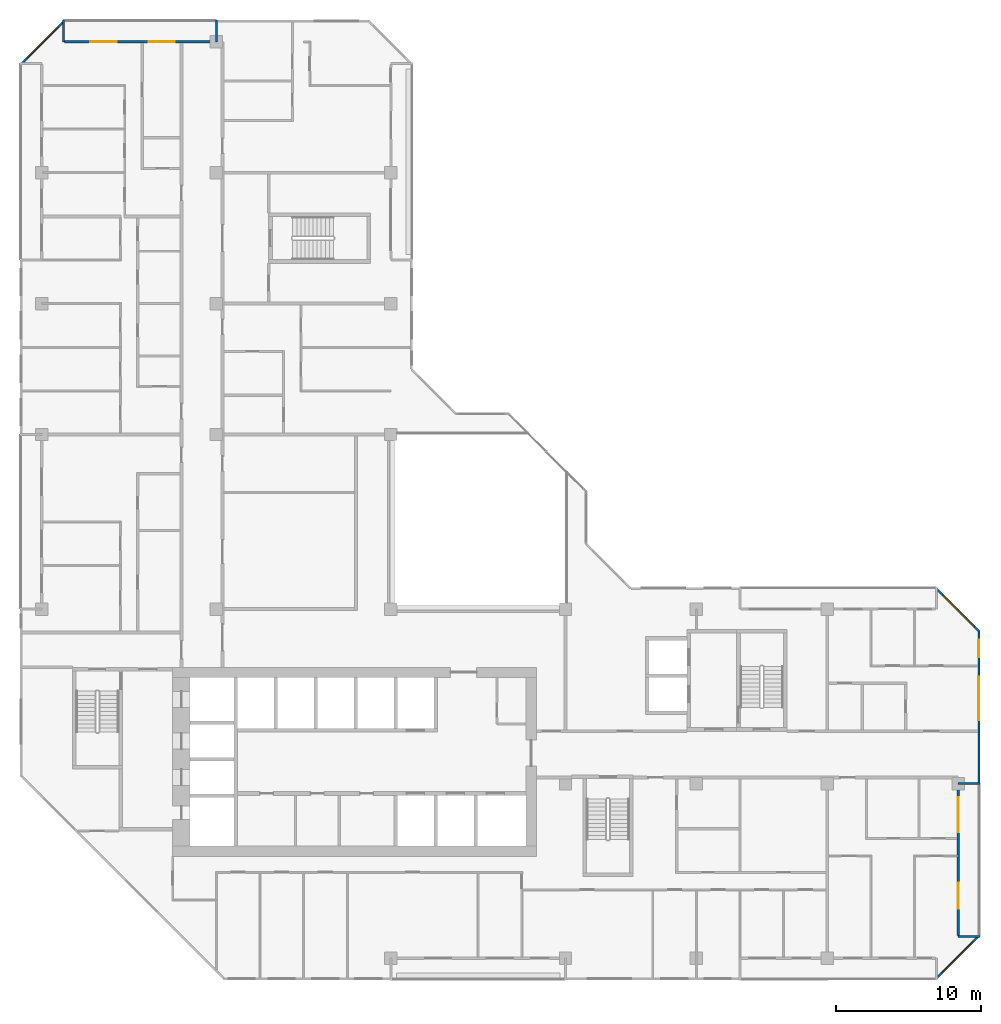
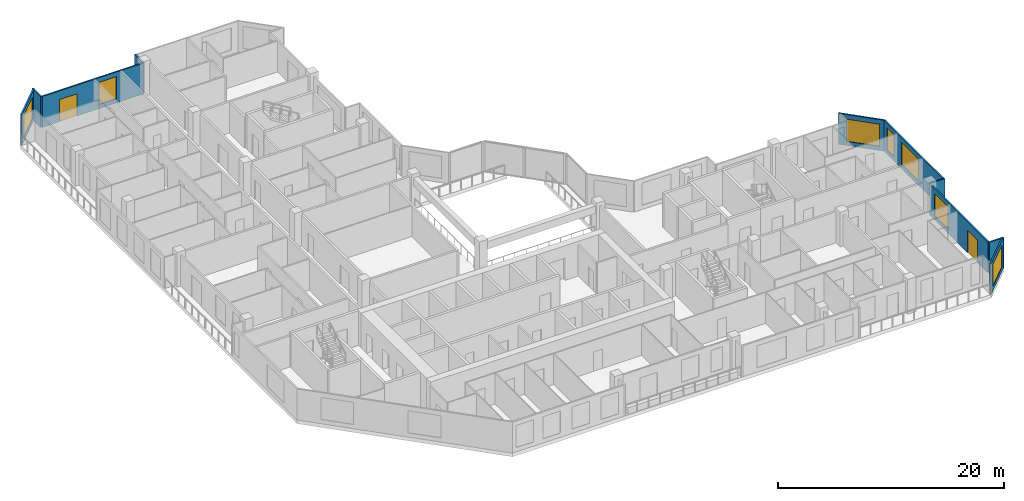
# One storey, part 12 of 16: 10 walls, 7 windows, 2 doors, 9 openings.
"""IFC4 building model written with IfcOpenShell, lengths in metres."""

from ifc_helpers import new_model, si_unit, direction, frame, frame_2d, origin, place, context, subcontext, project, spatial, rectangle, extrude, material, layer, layer_set, type_object, element, fill, save


model = new_model("IFC4")

# Units and contexts
model_context = context("Model", 3, precision=1e-05, world=origin(), true_north=direction((0.0, 1.0)))
body_context = subcontext(model_context, "Body", "Model", "MODEL_VIEW")
ifc_project = project(units=[si_unit("LENGTHUNIT", "METRE"), si_unit("AREAUNIT", "SQUARE_METRE"), si_unit("VOLUMEUNIT", "CUBIC_METRE"), si_unit("PLANEANGLEUNIT", "RADIAN"), si_unit("MASSUNIT", "GRAM", prefix="KILO")], contexts=[model_context])

# Site, building, storey
site_placement = place(None, origin())
site = spatial("IfcSite", under=ifc_project, at=site_placement, CompositionType="ELEMENT")
building_placement = place(site_placement, origin())
building = spatial("IfcBuilding", under=site, at=building_placement, Name="Chenar Terraces", CompositionType="ELEMENT")
storey_placement = place(building_placement, frame((0.0, 0.0, 222.89990234375)))
storey = spatial("IfcBuildingStorey", under=building, at=storey_placement, Name="L52", CompositionType="ELEMENT", Elevation=222.89990234375)

# Wall, openings, windows
ifc_material_1 = material(Name="Aluminium framed glazing", Category="aluminium")
ifc_layer_1 = layer(ifc_material_1, 0.14990234375)
ifc_layer_set_1 = layer_set([ifc_layer_1], Name="Aluminium framed glazing")
wall_type_1 = type_object("IfcWallType", Name="Glazed flush facade wall 150", PredefinedType="SOLIDWALL", material=ifc_layer_set_1)
wall_1_placement = place(storey_placement, frame((64.425048828125, 12.074951171875, 0.0), z_axis=(0.0, 0.0, 1.0), x_axis=(0.0, 1.0, 0.0)))
wall_1 = element("IfcWall", 1, at=wall_1_placement, inside=storey, type_object=wall_type_1, Name="Glazed flush facade wall", PredefinedType="SOLIDWALL", context=body_context, shape_type="SweptSolid", body=[
    extrude(rectangle(XDim=10.425048828125, YDim=0.14990234375, at=frame_2d((5.21240234375, 0.0))), origin(), (0.0, 0.0, 1.0), 3.35009765625),
])
opening_1_placement = place(wall_1_placement, frame((4.27490234375, 0.0, 0.449951171875)))
opening_1 = element("IfcOpeningElement", 2, at=opening_1_placement, cuts=wall_1, Name="Opening W300x240", PredefinedType="OPENING", context=body_context, shape_type="SweptSolid", body=[
    extrude(rectangle(XDim=3.0, YDim=2.39990234375, at=frame_2d((1.5, 1.199951171875))), frame((0.0, 0.0849609375, 0.0), z_axis=(0.0, -1.0, 0.0), x_axis=(1.0, 0.0, 0.0)), (0.0, 0.0, 1.0), 0.169921875),
])
opening_2_placement = place(wall_1_placement, frame((8.625, 0.0, 0.449951171875)))
opening_2 = element("IfcOpeningElement", 3, at=opening_2_placement, cuts=wall_1, Name="Opening W120x240", PredefinedType="OPENING", context=body_context, shape_type="SweptSolid", body=[
    extrude(rectangle(XDim=1.199951171875, YDim=2.39990234375, at=frame_2d((0.60009765625, 1.199951171875))), frame((0.0, 0.0849609375, 0.0), z_axis=(0.0, -1.0, 0.0), x_axis=(1.0, 0.0, 0.0)), (0.0, 0.0, 1.0), 0.169921875),
])
ifc_material_2 = material(Name="Low emissivity double glazing, aluminium frame", Category="aluminium")
window_type_1 = type_object("IfcWindowType", Name="Fixed light 1200 x 2400", PartitioningType="SINGLE_PANEL", PredefinedType="WINDOW", material=ifc_material_2)
window_1_placement = place(opening_2_placement, origin())
window_1 = element("IfcWindow", 4, at=window_1_placement, inside=storey, type_object=window_type_1, Name="Window", OverallHeight=2.39990234375, OverallWidth=1.199951171875, PartitioningType="SINGLE_PANEL", PredefinedType="WINDOW", context=body_context, shape_type="SweptSolid", body=[
    extrude(rectangle(XDim=1.199951171875, YDim=2.39990234375, at=frame_2d((0.60009765625, 1.199951171875))), frame((0.0, 0.030029296875, 0.0), z_axis=(0.0, -1.0, 0.0), x_axis=(1.0, 0.0, 0.0)), (0.0, 0.0, 1.0), 0.06005859375),
])
fill(opening_2, window_1)
ifc_material_3 = material(Name="Low emissivity double glazing, aluminium frame", Category="aluminium")
window_type_2 = type_object("IfcWindowType", Name="Fixed light 3000 x 2400", PartitioningType="SINGLE_PANEL", PredefinedType="WINDOW", material=ifc_material_3)
window_2_placement = place(opening_1_placement, origin())
window_2 = element("IfcWindow", 5, at=window_2_placement, inside=storey, type_object=window_type_2, Name="Window", OverallHeight=2.39990234375, OverallWidth=3.0, PartitioningType="SINGLE_PANEL", PredefinedType="WINDOW", context=body_context, shape_type="SweptSolid", body=[
    extrude(rectangle(XDim=3.0, YDim=2.39990234375, at=frame_2d((1.5, 1.199951171875))), frame((0.0, 0.030029296875, 0.0), z_axis=(0.0, -1.0, 0.0), x_axis=(1.0, 0.0, 0.0)), (0.0, 0.0, 1.0), 0.06005859375),
])
fill(opening_1, window_2)

# Wall, openings, window, door
ifc_material_4 = material(Name="Aluminium framed glazing", Category="aluminium")
ifc_layer_2 = layer(ifc_material_4, 0.14990234375)
ifc_layer_set_2 = layer_set([ifc_layer_2], Name="Aluminium framed glazing")
wall_type_2 = type_object("IfcWallType", Name="Glazed loggia back wall 150", PredefinedType="SOLIDWALL", material=ifc_layer_set_2)
wall_2_placement = place(storey_placement, frame((11.925048828125, 63.0, 0.0), z_axis=(0.0, 0.0, 1.0), x_axis=(-1.0, 0.0, 0.0)))
wall_2 = element("IfcWall", 6, at=wall_2_placement, inside=storey, type_object=wall_type_2, Name="Glazed loggia back wall", PredefinedType="SOLIDWALL", context=body_context, shape_type="SweptSolid", body=[
    extrude(rectangle(XDim=10.35009765625, YDim=0.14990234375, at=frame_2d((5.175048828125, 0.0))), origin(), (0.0, 0.0, 1.0), 3.35009765625),
])
opening_3_placement = place(wall_2_placement, frame((2.77490234375, 0.0, 0.449951171875)))
opening_3 = element("IfcOpeningElement", 7, at=opening_3_placement, cuts=wall_2, Name="Opening W180x240", PredefinedType="OPENING", context=body_context, shape_type="SweptSolid", body=[
    extrude(rectangle(XDim=1.800048828125, YDim=2.39990234375, at=frame_2d((0.89990234375, 1.199951171875))), frame((0.0, 0.0849609375, 0.0), z_axis=(0.0, -1.0, 0.0), x_axis=(1.0, 0.0, 0.0)), (0.0, 0.0, 1.0), 0.169921875),
])
opening_4_placement = place(wall_2_placement, frame((6.78759765625, 0.0, 0.0)))
opening_4 = element("IfcOpeningElement", 8, at=opening_4_placement, cuts=wall_2, Name="Opening DL52-G3", PredefinedType="OPENING", context=body_context, shape_type="SweptSolid", body=[
    extrude(rectangle(XDim=1.800048828125, YDim=2.39990234375, at=frame_2d((0.89990234375, 1.199951171875))), frame((0.0, 0.0849609375, 0.0), z_axis=(0.0, -1.0, 0.0), x_axis=(1.0, 0.0, 0.0)), (0.0, 0.0, 1.0), 0.169921875),
])
ifc_material_5 = material(Name="Low emissivity double glazing, aluminium frame", Category="aluminium")
window_type_3 = type_object("IfcWindowType", Name="Fixed light 1800 x 2400", PartitioningType="SINGLE_PANEL", PredefinedType="WINDOW", material=ifc_material_5)
window_3_placement = place(opening_3_placement, origin())
window_3 = element("IfcWindow", 9, at=window_3_placement, inside=storey, type_object=window_type_3, Name="Window", OverallHeight=2.39990234375, OverallWidth=1.800048828125, PartitioningType="SINGLE_PANEL", PredefinedType="WINDOW", context=body_context, shape_type="SweptSolid", body=[
    extrude(rectangle(XDim=1.800048828125, YDim=2.39990234375, at=frame_2d((0.89990234375, 1.199951171875))), frame((0.0, 0.030029296875, 0.0), z_axis=(0.0, -1.0, 0.0), x_axis=(1.0, 0.0, 0.0)), (0.0, 0.0, 1.0), 0.06005859375),
])
fill(opening_3, window_3)
ifc_material_6 = material(Name="Low emissivity double glazing, aluminium frame", Category="aluminium")
door_type = type_object("IfcDoorType", Name="Loggia glazed double door 1800 x 2400", OperationType="DOUBLE_DOOR_SINGLE_SWING", PredefinedType="DOOR", material=ifc_material_6)
door_1_placement = place(opening_4_placement, frame((1.800048828125, 0.0, 0.0), z_axis=(0.0, 0.0, 1.0), x_axis=(-1.0, 0.0, 0.0)))
door_1 = element("IfcDoor", 10, at=door_1_placement, inside=storey, type_object=door_type, Name="Loggia glazed door", OperationType="DOUBLE_DOOR_SINGLE_SWING", OverallHeight=2.39990234375, OverallWidth=1.800048828125, PredefinedType="DOOR", context=body_context, shape_type="SweptSolid", body=[
    extrude(rectangle(XDim=1.800048828125, YDim=2.39990234375, at=frame_2d((0.89990234375, 1.199951171875))), frame((0.0, 0.02490234375, 0.0), z_axis=(0.0, -1.0, 0.0), x_axis=(1.0, 0.0, 0.0)), (0.0, 0.0, 1.0), 0.050048828125),
])
fill(opening_4, door_1)

wall_3_placement = place(storey_placement, frame((63.0, 1.574951171875, 0.0), z_axis=(0.0, 0.0, 1.0), x_axis=(0.0, 1.0, 0.0)))
wall_3 = element("IfcWall", 11, at=wall_3_placement, inside=storey, type_object=wall_type_2, Name="Glazed loggia back wall", PredefinedType="SOLIDWALL", context=body_context, shape_type="SweptSolid", body=[
    extrude(rectangle(XDim=10.35009765625, YDim=0.14990234375, at=frame_2d((5.175048828125, 0.0))), origin(), (0.0, 0.0, 1.0), 3.35009765625),
])
opening_5_placement = place(wall_3_placement, frame((1.824951171875, 0.0, 0.0)))
opening_5 = element("IfcOpeningElement", 12, at=opening_5_placement, cuts=wall_3, Name="Opening DL52-G8", PredefinedType="OPENING", context=body_context, shape_type="SweptSolid", body=[
    extrude(rectangle(XDim=1.800048828125, YDim=2.39990234375, at=frame_2d((0.89990234375, 1.199951171875))), frame((0.0, 0.0849609375, 0.0), z_axis=(0.0, -1.0, 0.0), x_axis=(1.0, 0.0, 0.0)), (0.0, 0.0, 1.0), 0.169921875),
])
opening_6_placement = place(wall_3_placement, frame((7.074951171875, 0.0, 0.449951171875)))
opening_6 = element("IfcOpeningElement", 13, at=opening_6_placement, cuts=wall_3, Name="Opening W240x240", PredefinedType="OPENING", context=body_context, shape_type="SweptSolid", body=[
    extrude(rectangle(XDim=2.39990234375, YDim=2.39990234375, at=frame_2d((1.199951171875, 1.199951171875))), frame((0.0, 0.0849609375, 0.0), z_axis=(0.0, -1.0, 0.0), x_axis=(1.0, 0.0, 0.0)), (0.0, 0.0, 1.0), 0.169921875),
])
ifc_material_7 = material(Name="Low emissivity double glazing, aluminium frame", Category="aluminium")
window_type_4 = type_object("IfcWindowType", Name="Fixed light 2400 x 2400", PartitioningType="SINGLE_PANEL", PredefinedType="WINDOW", material=ifc_material_7)
window_4_placement = place(opening_6_placement, origin())
window_4 = element("IfcWindow", 14, at=window_4_placement, inside=storey, type_object=window_type_4, Name="Window", OverallHeight=2.39990234375, OverallWidth=2.39990234375, PartitioningType="SINGLE_PANEL", PredefinedType="WINDOW", context=body_context, shape_type="SweptSolid", body=[
    extrude(rectangle(XDim=2.39990234375, YDim=2.39990234375, at=frame_2d((1.199951171875, 1.199951171875))), frame((0.0, 0.030029296875, 0.0), z_axis=(0.0, -1.0, 0.0), x_axis=(1.0, 0.0, 0.0)), (0.0, 0.0, 1.0), 0.06005859375),
])
fill(opening_6, window_4)
door_2_placement = place(opening_5_placement, frame((1.800048828125, 0.0, 0.0), z_axis=(0.0, 0.0, 1.0), x_axis=(-1.0, 0.0, 0.0)))
door_2 = element("IfcDoor", 15, at=door_2_placement, inside=storey, type_object=door_type, Name="Loggia glazed door", OperationType="DOUBLE_DOOR_SINGLE_SWING", OverallHeight=2.39990234375, OverallWidth=1.800048828125, PredefinedType="DOOR", context=body_context, shape_type="SweptSolid", body=[
    extrude(rectangle(XDim=1.800048828125, YDim=2.39990234375, at=frame_2d((0.89990234375, 1.199951171875))), frame((0.0, 0.02490234375, 0.0), z_axis=(0.0, -1.0, 0.0), x_axis=(1.0, 0.0, 0.0)), (0.0, 0.0, 1.0), 0.050048828125),
])
fill(opening_5, door_2)

# Walls
ifc_material_8 = material(Name="Terracotta cladding on insulated backing", Category="masonry")
ifc_layer_3 = layer(ifc_material_8, 0.14990234375)
ifc_layer_set_3 = layer_set([ifc_layer_3], Name="Terracotta cladding on insulated backing")
wall_type_3 = type_object("IfcWallType", Name="Loggia return wall 150", PredefinedType="SOLIDWALL", material=ifc_layer_set_3)
for number, where, z_axis, x_axis, name in (
    (16, (12.0, 64.5, 0.0), (0.0, 0.0, 1.0), (0.0, -1.0, 0.0), "Loggia return wall"),
    (17, (1.5, 64.5, 0.0), (0.0, 0.0, 1.0), (0.0, -1.0, 0.0), "Loggia return wall"),
    (18, (64.5, 1.5, 0.0), (0.0, 0.0, 1.0), (-1.0, 0.0, 0.0), "Loggia return wall"),
    (19, (64.5, 12.0, 0.0), (0.0, 0.0, 1.0), (-1.0, 0.0, 0.0), "Loggia return wall"),
):
    element("IfcWall", number, at=place(storey_placement, frame(where, z_axis=z_axis, x_axis=x_axis)), inside=storey, type_object=wall_type_3, Name=name, PredefinedType="SOLIDWALL", context=body_context, shape_type="SweptSolid", body=[
        extrude(rectangle(XDim=1.5, YDim=0.14990234375, at=frame_2d((0.75, 0.0))), origin(), (0.0, 0.0, 1.0), 3.35009765625),
    ])

# Wall, opening, window
ifc_material_9 = material(Name="Terracotta cladding on insulated backing", Category="masonry")
ifc_layer_4 = layer(ifc_material_9, 0.14990234375)
ifc_layer_set_4 = layer_set([ifc_layer_4], Name="Terracotta cladding on insulated backing")
wall_type_4 = type_object("IfcWallType", Name="Terracotta rainscreen wall 150", PredefinedType="SOLIDWALL", material=ifc_layer_set_4)
wall_4_placement = place(storey_placement, frame((1.552978515625, 64.447021484375, 0.0), z_axis=(0.0, 0.0, 1.0), x_axis=(-0.707106781187, -0.707106781187, 0.0)))
wall_4 = element("IfcWall", 20, at=wall_4_placement, inside=storey, type_object=wall_type_4, Name="Terracotta rainscreen wall", PredefinedType="SOLIDWALL", context=body_context, shape_type="SweptSolid", body=[
    extrude(rectangle(XDim=4.24267578125, YDim=0.14990234375, at=frame_2d((2.121337890625, 0.0))), origin(), (0.0, 0.0, 1.0), 3.35009765625),
])
opening_7_placement = place(wall_4_placement, frame((0.621337890625, 0.0, 0.449951171875)))
opening_7 = element("IfcOpeningElement", 21, at=opening_7_placement, cuts=wall_4, Name="Opening W300x240", PredefinedType="OPENING", context=body_context, shape_type="SweptSolid", body=[
    extrude(rectangle(XDim=3.0, YDim=2.39990234375, at=frame_2d((1.5, 1.199951171875))), frame((0.0, 0.0849609375, 0.0), z_axis=(0.0, -1.0, 0.0), x_axis=(1.0, 0.0, 0.0)), (0.0, 0.0, 1.0), 0.169921875),
])
window_5_placement = place(opening_7_placement, origin())
window_5 = element("IfcWindow", 22, at=window_5_placement, inside=storey, type_object=window_type_2, Name="Window", OverallHeight=2.39990234375, OverallWidth=3.0, PartitioningType="SINGLE_PANEL", PredefinedType="WINDOW", context=body_context, shape_type="SweptSolid", body=[
    extrude(rectangle(XDim=3.0, YDim=2.39990234375, at=frame_2d((1.5, 1.199951171875))), frame((0.0, 0.030029296875, 0.0), z_axis=(0.0, -1.0, 0.0), x_axis=(1.0, 0.0, 0.0)), (0.0, 0.0, 1.0), 0.06005859375),
])
fill(opening_7, window_5)

wall_5_placement = place(storey_placement, frame((61.447021484375, -1.447021484375, 0.0), z_axis=(0.0, 0.0, 1.0), x_axis=(0.707106781187, 0.707106781187, 0.0)))
wall_5 = element("IfcWall", 23, at=wall_5_placement, inside=storey, type_object=wall_type_4, Name="Terracotta rainscreen wall", PredefinedType="SOLIDWALL", context=body_context, shape_type="SweptSolid", body=[
    extrude(rectangle(XDim=4.24267578125, YDim=0.14990234375, at=frame_2d((2.121337890625, 0.0))), origin(), (0.0, 0.0, 1.0), 3.35009765625),
])
opening_8_placement = place(wall_5_placement, frame((0.621337890625, 0.0, 0.449951171875)))
opening_8 = element("IfcOpeningElement", 24, at=opening_8_placement, cuts=wall_5, Name="Opening W300x240", PredefinedType="OPENING", context=body_context, shape_type="SweptSolid", body=[
    extrude(rectangle(XDim=3.0, YDim=2.39990234375, at=frame_2d((1.5, 1.199951171875))), frame((0.0, 0.0849609375, 0.0), z_axis=(0.0, -1.0, 0.0), x_axis=(1.0, 0.0, 0.0)), (0.0, 0.0, 1.0), 0.169921875),
])
window_6_placement = place(opening_8_placement, origin())
window_6 = element("IfcWindow", 25, at=window_6_placement, inside=storey, type_object=window_type_2, Name="Window", OverallHeight=2.39990234375, OverallWidth=3.0, PartitioningType="SINGLE_PANEL", PredefinedType="WINDOW", context=body_context, shape_type="SweptSolid", body=[
    extrude(rectangle(XDim=3.0, YDim=2.39990234375, at=frame_2d((1.5, 1.199951171875))), frame((0.0, 0.030029296875, 0.0), z_axis=(0.0, -1.0, 0.0), x_axis=(1.0, 0.0, 0.0)), (0.0, 0.0, 1.0), 0.06005859375),
])
fill(opening_8, window_6)

wall_6_placement = place(storey_placement, frame((64.447021484375, 22.447021484375, 0.0), z_axis=(0.0, 0.0, 1.0), x_axis=(-0.707106781187, 0.707106781187, 0.0)))
wall_6 = element("IfcWall", 26, at=wall_6_placement, inside=storey, type_object=wall_type_4, Name="Terracotta rainscreen wall", PredefinedType="SOLIDWALL", context=body_context, shape_type="SweptSolid", body=[
    extrude(rectangle(XDim=4.24267578125, YDim=0.14990234375, at=frame_2d((2.121337890625, 0.0))), origin(), (0.0, 0.0, 1.0), 3.35009765625),
])
opening_9_placement = place(wall_6_placement, frame((0.498046875, 0.0, 0.449951171875)))
opening_9 = element("IfcOpeningElement", 27, at=opening_9_placement, cuts=wall_6, Name="Opening W300x240", PredefinedType="OPENING", context=body_context, shape_type="SweptSolid", body=[
    extrude(rectangle(XDim=3.0, YDim=2.39990234375, at=frame_2d((1.5, 1.199951171875))), frame((0.0, 0.0849609375, 0.0), z_axis=(0.0, -1.0, 0.0), x_axis=(1.0, 0.0, 0.0)), (0.0, 0.0, 1.0), 0.169921875),
])
window_7_placement = place(opening_9_placement, origin())
window_7 = element("IfcWindow", 28, at=window_7_placement, inside=storey, type_object=window_type_2, Name="Window", OverallHeight=2.39990234375, OverallWidth=3.0, PartitioningType="SINGLE_PANEL", PredefinedType="WINDOW", context=body_context, shape_type="SweptSolid", body=[
    extrude(rectangle(XDim=3.0, YDim=2.39990234375, at=frame_2d((1.5, 1.199951171875))), frame((0.0, 0.030029296875, 0.0), z_axis=(0.0, -1.0, 0.0), x_axis=(1.0, 0.0, 0.0)), (0.0, 0.0, 1.0), 0.06005859375),
])
fill(opening_9, window_7)

save(model, "model.ifc")
